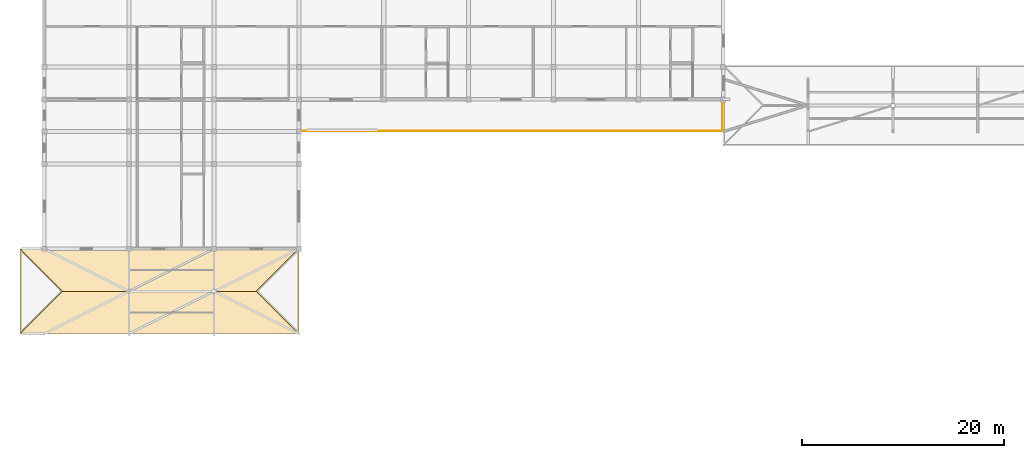
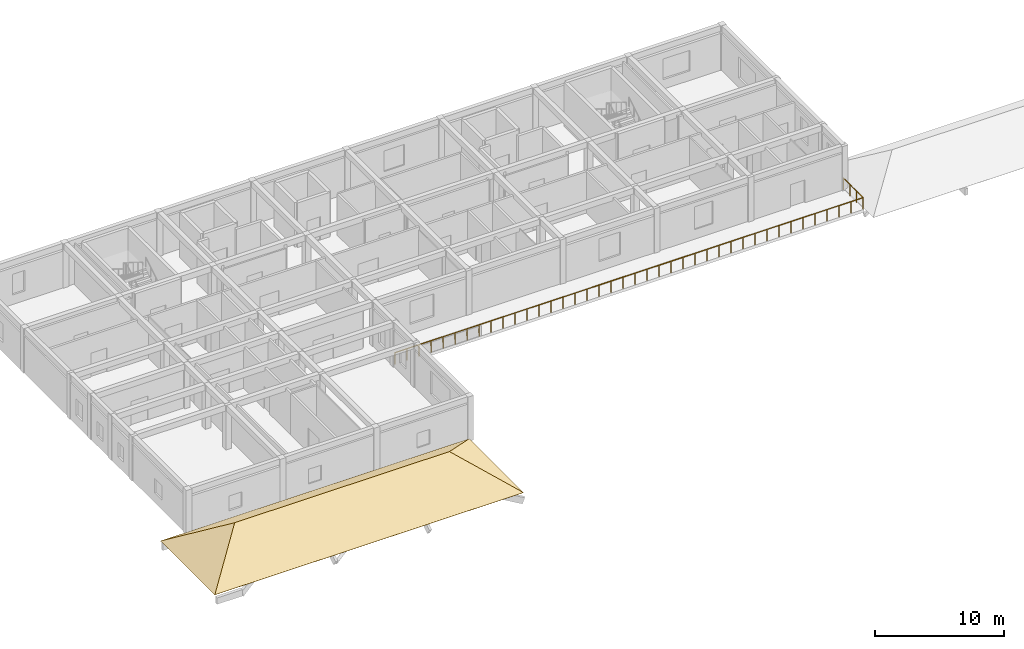
# One storey, part 20 of 26: 4 coverings, 1 railing, 1 element without a shape of its own.
"""IFC4 building model written with IfcOpenShell, lengths in metres."""

from ifc_helpers import new_model, si_unit, direction, frame, origin, origin_2d, place, context, subcontext, project, spatial, polyline, circle, outline, extrude, material, layer, layer_set, type_object, element, aggregate, save


model = new_model("IFC4")

# Units and contexts
model_context = context("Model", 3, precision=1e-05, world=origin(), true_north=direction((0.0, 1.0)))
body_context = subcontext(model_context, "Body", "Model", "MODEL_VIEW")
ifc_project = project(units=[si_unit("LENGTHUNIT", "METRE"), si_unit("AREAUNIT", "SQUARE_METRE"), si_unit("VOLUMEUNIT", "CUBIC_METRE"), si_unit("PLANEANGLEUNIT", "RADIAN"), si_unit("MASSUNIT", "GRAM", prefix="KILO")], contexts=[model_context])

# Site, building, storey
site_placement = place(None, origin())
site = spatial("IfcSite", under=ifc_project, at=site_placement, CompositionType="ELEMENT")
building_placement = place(site_placement, origin())
building = spatial("IfcBuilding", under=site, at=building_placement, Name="Varncliffe General Hospital", CompositionType="ELEMENT")
storey_placement = place(building_placement, frame((0.0, 0.0, 28.800048828125)))
storey = spatial("IfcBuildingStorey", under=building, at=storey_placement, Name="L06", CompositionType="ELEMENT", Elevation=28.800048828125)

# Railing
ifc_material_1 = material(Name="Powder-coated wrought-iron and bronze balustrade", Category="steel")
railing_type = type_object("IfcRailingType", Name="Spanish Colonial Wrought-Iron Terrace Balustrade BL44", PredefinedType="BALUSTRADE", material=ifc_material_1)
railing_placement = place(storey_placement, frame((25.280029296875, 102.860107421875, 0.0)))
element("IfcRailing", 1, at=railing_placement, inside=storey, type_object=railing_type, Name="L06 West Step-2 Healing Roof Terrace Balustrade 9", PredefinedType="BALUSTRADE", context=body_context, shape_type="SweptSolid", body=[
    extrude(circle(Radius=0.02392578125, at=origin_2d()), frame((0.0, 0.0, 1.076171875), z_axis=(1.0, 0.0, 0.0), x_axis=(0.0, 1.0, 0.0)), (0.0, 0.0, 1.0), 41.85986328125),
    extrude(circle(Radius=0.02392578125, at=origin_2d()), frame((41.85986328125, 0.0, 1.076171875), z_axis=(0.0, 1.0, 0.0), x_axis=(-1.0, 0.0, 0.0)), (0.0, 0.0, 1.0), 3.059814453125),
    extrude(circle(Radius=0.02099609375, at=origin_2d()), origin(), (0.0, 0.0, 1.0), 1.052001953125),
    extrude(circle(Radius=0.02099609375, at=origin_2d()), frame((1.0732421875, 0.0, 0.0)), (0.0, 0.0, 1.0), 1.052001953125),
    extrude(circle(Radius=0.02099609375, at=origin_2d()), frame((2.146728515625, 0.0, 0.0)), (0.0, 0.0, 1.0), 1.052001953125),
    extrude(circle(Radius=0.02099609375, at=origin_2d()), frame((3.219970703125, 0.0, 0.0)), (0.0, 0.0, 1.0), 1.052001953125),
    extrude(circle(Radius=0.02099609375, at=origin_2d()), frame((4.293212890625, 0.0, 0.0)), (0.0, 0.0, 1.0), 1.052001953125),
    extrude(circle(Radius=0.02099609375, at=origin_2d()), frame((5.36669921875, 0.0, 0.0)), (0.0, 0.0, 1.0), 1.052001953125),
    extrude(circle(Radius=0.02099609375, at=origin_2d()), frame((6.43994140625, 0.0, 0.0)), (0.0, 0.0, 1.0), 1.052001953125),
    extrude(circle(Radius=0.02099609375, at=origin_2d()), frame((7.513427734375, 0.0, 0.0)), (0.0, 0.0, 1.0), 1.052001953125),
    extrude(circle(Radius=0.02099609375, at=origin_2d()), frame((8.586669921875, 0.0, 0.0)), (0.0, 0.0, 1.0), 1.052001953125),
    extrude(circle(Radius=0.02099609375, at=origin_2d()), frame((9.659912109375, 0.0, 0.0)), (0.0, 0.0, 1.0), 1.052001953125),
    extrude(circle(Radius=0.02099609375, at=origin_2d()), frame((10.7333984375, 0.0, 0.0)), (0.0, 0.0, 1.0), 1.052001953125),
    extrude(circle(Radius=0.02099609375, at=origin_2d()), frame((11.806640625, 0.0, 0.0)), (0.0, 0.0, 1.0), 1.052001953125),
    extrude(circle(Radius=0.02099609375, at=origin_2d()), frame((12.8798828125, 0.0, 0.0)), (0.0, 0.0, 1.0), 1.052001953125),
    extrude(circle(Radius=0.02099609375, at=origin_2d()), frame((13.953369140625, 0.0, 0.0)), (0.0, 0.0, 1.0), 1.052001953125),
    extrude(circle(Radius=0.02099609375, at=origin_2d()), frame((15.026611328125, 0.0, 0.0)), (0.0, 0.0, 1.0), 1.052001953125),
    extrude(circle(Radius=0.02099609375, at=origin_2d()), frame((16.099853515625, 0.0, 0.0)), (0.0, 0.0, 1.0), 1.052001953125),
    extrude(circle(Radius=0.02099609375, at=origin_2d()), frame((17.17333984375, 0.0, 0.0)), (0.0, 0.0, 1.0), 1.052001953125),
    extrude(circle(Radius=0.02099609375, at=origin_2d()), frame((18.24658203125, 0.0, 0.0)), (0.0, 0.0, 1.0), 1.052001953125),
    extrude(circle(Radius=0.02099609375, at=origin_2d()), frame((19.31982421875, 0.0, 0.0)), (0.0, 0.0, 1.0), 1.052001953125),
    extrude(circle(Radius=0.02099609375, at=origin_2d()), frame((20.393310546875, 0.0, 0.0)), (0.0, 0.0, 1.0), 1.052001953125),
    extrude(circle(Radius=0.02099609375, at=origin_2d()), frame((21.466552734375, 0.0, 0.0)), (0.0, 0.0, 1.0), 1.052001953125),
    extrude(circle(Radius=0.02099609375, at=origin_2d()), frame((22.5400390625, 0.0, 0.0)), (0.0, 0.0, 1.0), 1.052001953125),
    extrude(circle(Radius=0.02099609375, at=origin_2d()), frame((23.61328125, 0.0, 0.0)), (0.0, 0.0, 1.0), 1.052001953125),
    extrude(circle(Radius=0.02099609375, at=origin_2d()), frame((24.6865234375, 0.0, 0.0)), (0.0, 0.0, 1.0), 1.052001953125),
    extrude(circle(Radius=0.02099609375, at=origin_2d()), frame((25.760009765625, 0.0, 0.0)), (0.0, 0.0, 1.0), 1.052001953125),
    extrude(circle(Radius=0.02099609375, at=origin_2d()), frame((26.833251953125, 0.0, 0.0)), (0.0, 0.0, 1.0), 1.052001953125),
    extrude(circle(Radius=0.02099609375, at=origin_2d()), frame((27.906494140625, 0.0, 0.0)), (0.0, 0.0, 1.0), 1.052001953125),
    extrude(circle(Radius=0.02099609375, at=origin_2d()), frame((28.97998046875, 0.0, 0.0)), (0.0, 0.0, 1.0), 1.052001953125),
    extrude(circle(Radius=0.02099609375, at=origin_2d()), frame((30.05322265625, 0.0, 0.0)), (0.0, 0.0, 1.0), 1.052001953125),
    extrude(circle(Radius=0.02099609375, at=origin_2d()), frame((31.12646484375, 0.0, 0.0)), (0.0, 0.0, 1.0), 1.052001953125),
    extrude(circle(Radius=0.02099609375, at=origin_2d()), frame((32.199951171875, 0.0, 0.0)), (0.0, 0.0, 1.0), 1.052001953125),
    extrude(circle(Radius=0.02099609375, at=origin_2d()), frame((33.273193359375, 0.0, 0.0)), (0.0, 0.0, 1.0), 1.052001953125),
    extrude(circle(Radius=0.02099609375, at=origin_2d()), frame((34.346435546875, 0.0, 0.0)), (0.0, 0.0, 1.0), 1.052001953125),
    extrude(circle(Radius=0.02099609375, at=origin_2d()), frame((35.419921875, 0.0, 0.0)), (0.0, 0.0, 1.0), 1.052001953125),
    extrude(circle(Radius=0.02099609375, at=origin_2d()), frame((36.4931640625, 0.0, 0.0)), (0.0, 0.0, 1.0), 1.052001953125),
    extrude(circle(Radius=0.02099609375, at=origin_2d()), frame((37.566650390625, 0.0, 0.0)), (0.0, 0.0, 1.0), 1.052001953125),
    extrude(circle(Radius=0.02099609375, at=origin_2d()), frame((38.639892578125, 0.0, 0.0)), (0.0, 0.0, 1.0), 1.052001953125),
    extrude(circle(Radius=0.02099609375, at=origin_2d()), frame((39.713134765625, 0.0, 0.0)), (0.0, 0.0, 1.0), 1.052001953125),
    extrude(circle(Radius=0.02099609375, at=origin_2d()), frame((40.78662109375, 0.0, 0.0)), (0.0, 0.0, 1.0), 1.052001953125),
    extrude(circle(Radius=0.02099609375, at=origin_2d()), frame((41.85986328125, 0.0, 0.0)), (0.0, 0.0, 1.0), 1.052001953125),
    extrude(circle(Radius=0.02099609375, at=origin_2d()), frame((41.85986328125, 1.02001953125, 0.0)), (0.0, 0.0, 1.0), 1.052001953125),
    extrude(circle(Radius=0.02099609375, at=origin_2d()), frame((41.85986328125, 2.039794921875, 0.0)), (0.0, 0.0, 1.0), 1.052001953125),
    extrude(circle(Radius=0.02099609375, at=origin_2d()), frame((41.85986328125, 3.059814453125, 0.0)), (0.0, 0.0, 1.0), 1.052001953125),
])

# Roof, coverings
ifc_material_2 = material(Name="Terracotta clay roof tile over waterproof membrane", Category="masonry")
roof_type = type_object("IfcRoofType", Name="Hipped Clay-Tile Roof Assembly HR20", PredefinedType="HIP_ROOF", material=ifc_material_2)
roof_placement = place(storey_placement, origin())
roof = element("IfcRoof", 2, at=roof_placement, inside=storey, type_object=roof_type, Name="L06 Hipped Roof RF-V6-SW1", PredefinedType="HIP_ROOF")
ifc_layer = layer(ifc_material_2, 0.044921875)
ifc_layer_set = layer_set([ifc_layer], Name="Terracotta clay roof tile over waterproof membrane")
covering_type = type_object("IfcCoveringType", Name="Terracotta Clay Tile Roofing RFG24", PredefinedType="ROOFING", material=ifc_layer_set)
covering_1_placement = place(storey_placement, frame((-2.39990234375, 82.800048828125, 0.044921875), z_axis=(0.0, -0.554711357594, 0.832042853317), x_axis=(1.0, 0.0, 0.0)))
covering_1 = element("IfcCovering", 3, at=covering_1_placement, type_object=covering_type, Name="L06 RF-V6-SW1 Terracotta Clay Tile Slope S", PredefinedType="ROOFING", context=body_context, shape_type="SweptSolid", body=[
    extrude(outline(polyline([(0.0, 0.0), (27.599853515625, 0.0), (23.39990234375, 5.0477582436184845), (4.199951171875, 5.0477582436184845), (0.0, 0.0)])), origin(), (0.0, 0.0, -1.0), 0.044921875),
])
covering_2_placement = place(storey_placement, frame((25.199951171875, 91.199951171875, 0.044921875), z_axis=(0.0, 0.554711357594, 0.832042853317), x_axis=(-1.0, 0.0, 0.0)))
covering_2 = element("IfcCovering", 4, at=covering_2_placement, type_object=covering_type, Name="L06 RF-V6-SW1 Terracotta Clay Tile Slope N", PredefinedType="ROOFING", context=body_context, shape_type="SweptSolid", body=[
    extrude(outline(polyline([(0.0, 0.0), (27.599853515625, 0.0), (23.39990234375, 5.0477582436184845), (4.199951171875, 5.0477582436184845), (0.0, 0.0)])), origin(), (0.0, 0.0, -1.0), 0.044921875),
])
covering_3_placement = place(storey_placement, frame((-2.39990234375, 91.199951171875, 0.044921875), z_axis=(-0.554711357594, 0.0, 0.832042853317), x_axis=(0.0, -1.0, 0.0)))
covering_3 = element("IfcCovering", 5, at=covering_3_placement, type_object=covering_type, Name="L06 RF-V6-SW1 Terracotta Clay Tile Slope W", PredefinedType="ROOFING", context=body_context, shape_type="SweptSolid", body=[
    extrude(outline(polyline([(0.0, 0.0), (8.39990234375, 0.0), (4.199951171875, 5.0477582436184845), (0.0, 0.0)])), origin(), (0.0, 0.0, -1.0), 0.044921875),
])
covering_4_placement = place(storey_placement, frame((25.199951171875, 82.800048828125, 0.044921875), z_axis=(0.554711357594, 0.0, 0.832042853317), x_axis=(0.0, 1.0, 0.0)))
covering_4 = element("IfcCovering", 6, at=covering_4_placement, type_object=covering_type, Name="L06 RF-V6-SW1 Terracotta Clay Tile Slope E", PredefinedType="ROOFING", context=body_context, shape_type="SweptSolid", body=[
    extrude(outline(polyline([(0.0, 0.0), (8.39990234375, 0.0), (4.199951171875, 5.0477582436184845), (0.0, 0.0)])), origin(), (0.0, 0.0, -1.0), 0.044921875),
])
aggregate(roof, [covering_1, covering_2, covering_3, covering_4])

save(model, "model.ifc")
